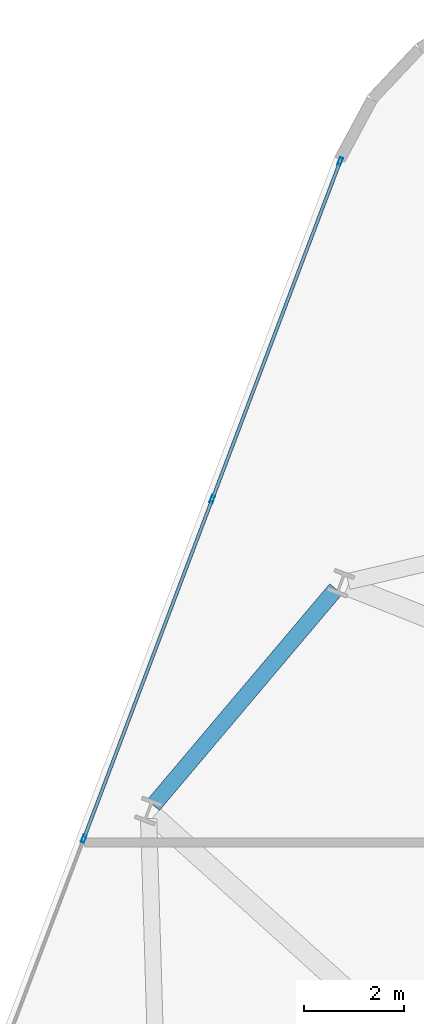
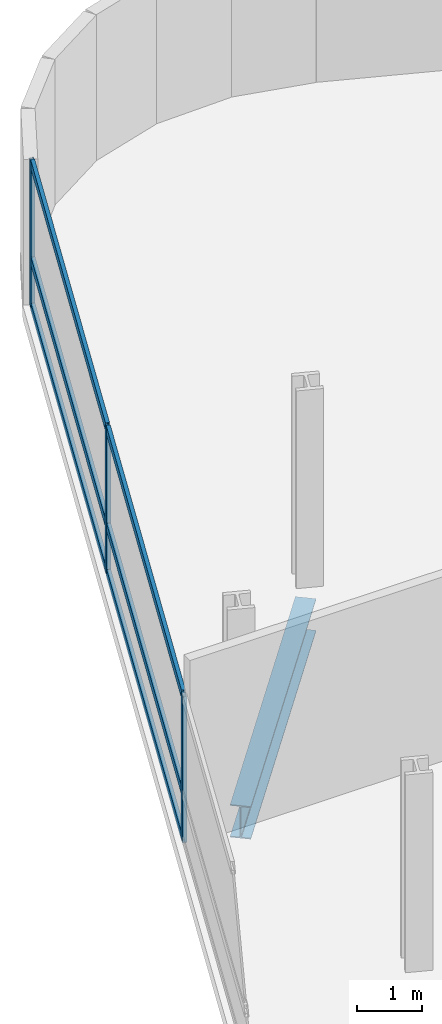
# One storey, part 8 of 24: 9 members, 1 beam, 1 element without a shape of its own.
"""IFC4 building model written with IfcOpenShell, lengths in metres."""

from ifc_helpers import new_model, si_unit, direction, frame, origin, origin_2d, place, context, subcontext, project, spatial, hollow_rectangle, i_section, extrude, material, layer, layer_set, material_profile, profile_set, type_object, element, aggregate, save


model = new_model("IFC4")

# Units and contexts
model_context = context("Model", 3, precision=1e-05, world=origin(), true_north=direction((0.0, 1.0)))
body_context = subcontext(model_context, "Body", "Model", "MODEL_VIEW")
ifc_project = project(units=[si_unit("LENGTHUNIT", "METRE"), si_unit("AREAUNIT", "SQUARE_METRE"), si_unit("VOLUMEUNIT", "CUBIC_METRE"), si_unit("PLANEANGLEUNIT", "RADIAN"), si_unit("MASSUNIT", "GRAM", prefix="KILO")], contexts=[model_context])

# Site, building, storey
site_placement = place(None, origin())
site = spatial("IfcSite", under=ifc_project, at=site_placement, CompositionType="ELEMENT")
building_placement = place(site_placement, origin())
building = spatial("IfcBuilding", under=site, at=building_placement, Name="Varnelok Gate Tower", CompositionType="ELEMENT")
storey_placement = place(building_placement, frame((0.0, 0.0, 102.10009765625)))
storey = spatial("IfcBuildingStorey", under=building, at=storey_placement, Name="L25", CompositionType="ELEMENT", Elevation=102.10009765625)

# Beam
ifc_material_1 = material(Name="Structural Steel ASTM A992 Grade 50", Category="steel")
ifc_material_profile_1 = material_profile(ifc_material_1, i_section(OverallWidth=0.323974609375, OverallDepth=0.611083984375, WebThickness=0.0126953125, FlangeThickness=0.01904296875, FilletRadius=0.01806640625, at=origin_2d()), Name="W24X104")
ifc_profile_set_1 = profile_set([ifc_material_profile_1], Name="Structural Steel ASTM A992 Grade 50")
beam_type = type_object("IfcBeamType", Name="BM-SPN-W24X104", PredefinedType="SPANDREL", material=ifc_profile_set_1)
beam_placement = place(storey_placement, frame((10.66650390625, 46.857666015625, -0.5556640625), z_axis=(-0.645376429405, -0.763864689829, 0.0), x_axis=(0.763864689829, -0.645376429405, 0.0)))
element("IfcBeam", 1, at=beam_placement, inside=storey, type_object=beam_type, Name="L25 Perimeter Spandrel Beam 14", PredefinedType="SPANDREL", context=body_context, shape_type="SweptSolid", body=[
    extrude(i_section(OverallWidth=0.323974609375, OverallDepth=0.611083984375, WebThickness=0.0126953125, FlangeThickness=0.01904296875, FilletRadius=0.01806640625, at=origin_2d()), origin(), (0.0, 0.0, 1.0), 5.64990234375),
])

# Curtain wall, members
ifc_material_2 = material(Name="Anodized Aluminum Alloy 6063-T6", Category="aluminium")
ifc_layer = layer(ifc_material_2, 0.179931640625)
ifc_layer_set = layer_set([ifc_layer], Name="Anodized Aluminum Alloy 6063-T6")
curtain_wall_type = type_object("IfcCurtainWallType", Name="CW3-HOTEL-VISION", PredefinedType="USERDEFINED", material=ifc_layer_set)
curtain_wall_placement = place(storey_placement, origin())
curtain_wall = element("IfcCurtainWall", 2, at=curtain_wall_placement, inside=storey, type_object=curtain_wall_type, Name="L25 West End Vision Curtain Wall", ObjectType="UNITISED CURTAIN WALL", PredefinedType="USERDEFINED")
ifc_material_profile_2 = material_profile(ifc_material_2, hollow_rectangle(XDim=0.06494140625, YDim=0.159912109375, WallThickness=0.00390625, at=origin_2d()), Name="ALU160X65X4")
ifc_profile_set_2 = profile_set([ifc_material_profile_2], Name="Anodized Aluminum Alloy 6063-T6")
member_type_1 = type_object("IfcMemberType", Name="CW-MULL-160", PredefinedType="MULLION", material=ifc_profile_set_2)
member_1_placement = place(storey_placement, frame((5.63525390625, 41.8779296875, 0.0), z_axis=(0.0, 0.0, 1.0), x_axis=(-0.935221323688, 0.354063660545, 0.0)))
member_1 = element("IfcMember", 3, at=member_1_placement, type_object=member_type_1, Name="CW3 mullion 4", PredefinedType="MULLION", context=body_context, shape_type="SweptSolid", body=[
    extrude(hollow_rectangle(XDim=0.06494140625, YDim=0.159912109375, WallThickness=0.00390625, at=origin_2d()), origin(), (0.0, 0.0, 1.0), 2.72998046875),
])
member_2_placement = place(storey_placement, frame((8.19873046875, 48.64892578125, 0.0), z_axis=(0.0, 0.0, 1.0), x_axis=(-0.935221323688, 0.354063660545, 0.0)))
member_2 = element("IfcMember", 4, at=member_2_placement, type_object=member_type_1, Name="CW3 mullion 5", PredefinedType="MULLION", context=body_context, shape_type="SweptSolid", body=[
    extrude(hollow_rectangle(XDim=0.06494140625, YDim=0.159912109375, WallThickness=0.00390625, at=origin_2d()), origin(), (0.0, 0.0, 1.0), 2.72998046875),
])
member_3_placement = place(storey_placement, frame((10.750732421875, 55.389404296875, 0.0), z_axis=(0.0, 0.0, 1.0), x_axis=(-0.935221323688, 0.354063660545, 0.0)))
member_3 = element("IfcMember", 5, at=member_3_placement, type_object=member_type_1, Name="CW3 mullion 6", PredefinedType="MULLION", context=body_context, shape_type="SweptSolid", body=[
    extrude(hollow_rectangle(XDim=0.06494140625, YDim=0.159912109375, WallThickness=0.00390625, at=origin_2d()), origin(), (0.0, 0.0, 1.0), 2.72998046875),
])
ifc_material_profile_3 = material_profile(ifc_material_2, hollow_rectangle(XDim=0.06494140625, YDim=0.159912109375, WallThickness=0.00390625, at=origin_2d()), Name="ALU160X65X4")
ifc_profile_set_3 = profile_set([ifc_material_profile_3], Name="Anodized Aluminum Alloy 6063-T6")
member_type_2 = type_object("IfcMemberType", Name="CW-TRAN-160", PredefinedType="USERDEFINED", material=ifc_profile_set_3)
member_4_placement = place(storey_placement, frame((5.64697265625, 41.908203125, 0.032470703125), z_axis=(0.354048963644, 0.935226887628, 0.0), x_axis=(-0.935226887628, 0.354048963644, 0.0)))
member_4 = element("IfcMember", 6, at=member_4_placement, type_object=member_type_2, Name="CW3 transom 4.1", ObjectType="TRANSOM", PredefinedType="USERDEFINED", context=body_context, shape_type="SweptSolid", body=[
    extrude(hollow_rectangle(XDim=0.06494140625, YDim=0.159912109375, WallThickness=0.00390625, at=origin_2d()), origin(), (0.0, 0.0, 1.0), 7.175048828125),
])
member_5_placement = place(storey_placement, frame((5.64697265625, 41.908203125, 0.89990234375), z_axis=(0.354048963644, 0.935226887628, 0.0), x_axis=(-0.935226887628, 0.354048963644, 0.0)))
member_5 = element("IfcMember", 7, at=member_5_placement, type_object=member_type_2, Name="CW3 transom 4.2", ObjectType="TRANSOM", PredefinedType="USERDEFINED", context=body_context, shape_type="SweptSolid", body=[
    extrude(hollow_rectangle(XDim=0.06494140625, YDim=0.159912109375, WallThickness=0.00390625, at=origin_2d()), origin(), (0.0, 0.0, 1.0), 7.175048828125),
])
member_6_placement = place(storey_placement, frame((5.64697265625, 41.908203125, 2.697509765625), z_axis=(0.354048963644, 0.935226887628, 0.0), x_axis=(-0.935226887628, 0.354048963644, 0.0)))
member_6 = element("IfcMember", 8, at=member_6_placement, type_object=member_type_2, Name="CW3 transom 4.3", ObjectType="TRANSOM", PredefinedType="USERDEFINED", context=body_context, shape_type="SweptSolid", body=[
    extrude(hollow_rectangle(XDim=0.06494140625, YDim=0.159912109375, WallThickness=0.00390625, at=origin_2d()), origin(), (0.0, 0.0, 1.0), 7.175048828125),
])
member_7_placement = place(storey_placement, frame((8.210205078125, 48.67919921875, 0.032470703125), z_axis=(0.354077146385, 0.935216217999, 0.0), x_axis=(-0.935216217999, 0.354077146385, 0.0)))
member_7 = element("IfcMember", 9, at=member_7_placement, type_object=member_type_2, Name="CW3 transom 5.1", ObjectType="TRANSOM", PredefinedType="USERDEFINED", context=body_context, shape_type="SweptSolid", body=[
    extrude(hollow_rectangle(XDim=0.06494140625, YDim=0.159912109375, WallThickness=0.00390625, at=origin_2d()), origin(), (0.0, 0.0, 1.0), 7.142578125),
])
member_8_placement = place(storey_placement, frame((8.210205078125, 48.67919921875, 0.89990234375), z_axis=(0.354077146385, 0.935216217999, 0.0), x_axis=(-0.935216217999, 0.354077146385, 0.0)))
member_8 = element("IfcMember", 10, at=member_8_placement, type_object=member_type_2, Name="CW3 transom 5.2", ObjectType="TRANSOM", PredefinedType="USERDEFINED", context=body_context, shape_type="SweptSolid", body=[
    extrude(hollow_rectangle(XDim=0.06494140625, YDim=0.159912109375, WallThickness=0.00390625, at=origin_2d()), origin(), (0.0, 0.0, 1.0), 7.142578125),
])
member_9_placement = place(storey_placement, frame((8.210205078125, 48.67919921875, 2.697509765625), z_axis=(0.354077146385, 0.935216217999, 0.0), x_axis=(-0.935216217999, 0.354077146385, 0.0)))
member_9 = element("IfcMember", 11, at=member_9_placement, type_object=member_type_2, Name="CW3 transom 5.3", ObjectType="TRANSOM", PredefinedType="USERDEFINED", context=body_context, shape_type="SweptSolid", body=[
    extrude(hollow_rectangle(XDim=0.06494140625, YDim=0.159912109375, WallThickness=0.00390625, at=origin_2d()), origin(), (0.0, 0.0, 1.0), 7.142578125),
])
aggregate(curtain_wall, [member_1, member_2, member_3, member_4, member_5, member_6, member_7, member_8, member_9])

save(model, "model.ifc")
